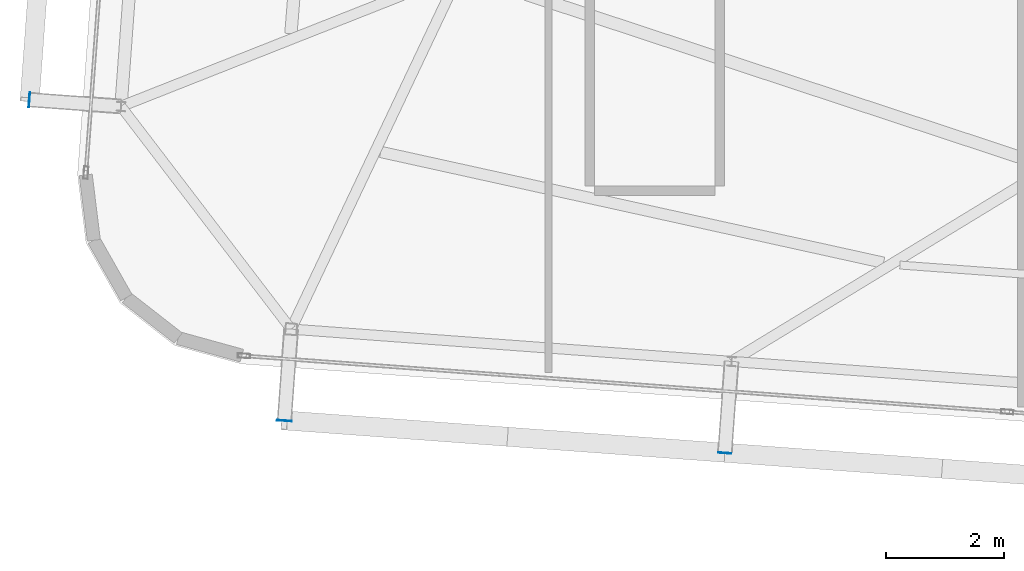
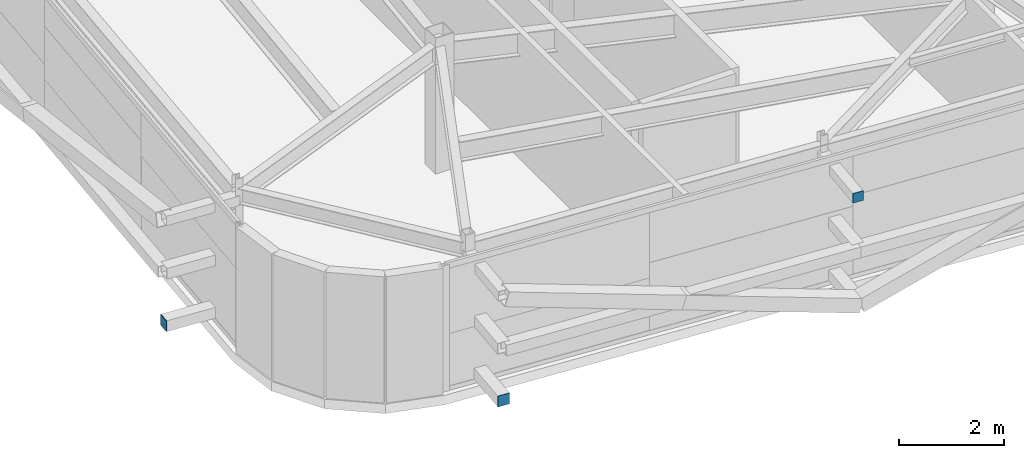
# One storey, part 24 of 34: 3 plates.
"""IFC4 building model written with IfcOpenShell, lengths in metres."""

from ifc_helpers import new_model, si_unit, direction, frame, origin, origin_2d, place, context, subcontext, project, spatial, rectangle, extrude, source, transform, mapped, material, layer, layer_set, type_object, element, save


model = new_model("IFC4")

# Units and contexts
model_context = context("Model", 3, precision=1e-05, world=origin(), true_north=direction((0.0, 1.0)))
body_context = subcontext(model_context, "Body", "Model", "MODEL_VIEW")
ifc_project = project(units=[si_unit("LENGTHUNIT", "METRE"), si_unit("AREAUNIT", "SQUARE_METRE"), si_unit("VOLUMEUNIT", "CUBIC_METRE"), si_unit("PLANEANGLEUNIT", "RADIAN"), si_unit("MASSUNIT", "GRAM", prefix="KILO")], contexts=[model_context])

# Site, building, storey
site_placement = place(None, origin())
site = spatial("IfcSite", under=ifc_project, at=site_placement, CompositionType="ELEMENT")
building_placement = place(site_placement, origin())
building = spatial("IfcBuilding", under=site, at=building_placement, Name="Taldren Reach Tower", CompositionType="ELEMENT")
storey_placement = place(building_placement, frame((0.0, 0.0, 246.050048828125)))
storey = spatial("IfcBuildingStorey", under=building, at=storey_placement, Name="L75", CompositionType="ELEMENT", Elevation=246.050048828125)

# Plates
ifc_material_1 = material(Name="Steel Gr 350 (C350L0)", Category="steel")
ifc_layer_1 = layer(ifc_material_1, 0.011962890625)
ifc_layer_set_1 = layer_set([ifc_layer_1], Name="Steel Gr 350 (C350L0)")
plate_type_1 = type_object("IfcPlateType", Name="PL-CAP-250", PredefinedType="SHEET", material=ifc_layer_set_1)
shared_shape_1 = source(origin(), body_context, "Body", "SweptSolid", [
    extrude(rectangle(XDim=0.25, YDim=0.011962890625, at=origin_2d()), origin(), (0.0, 0.0, 1.0), 0.25),
])
plate_1_placement = place(storey_placement, frame((15.026611328125, 4.908447265625, 0.094970703125), z_axis=(0.0, 0.0, 1.0), x_axis=(0.997314477224, -0.073238197128, 0.0)))
element("IfcPlate", 1, at=plate_1_placement, inside=storey, type_object=plate_type_1, Name="Tie strut end cap plate B5-S1 L75", PredefinedType="SHEET", context=body_context, shape_type="MappedRepresentation", body=[
    mapped(shared_shape_1, transform((0.0, 0.0, 0.0), scale=1.0)),
])
shared_shape_2 = source(origin(), body_context, "Body", "SweptSolid", [
    extrude(rectangle(XDim=0.011962890625, YDim=0.25, at=origin_2d()), origin(), (0.0, 0.0, 1.0), 0.25),
])
plate_2_placement = place(storey_placement, frame((10.707275390625, 10.345458984375, 0.094970703125), z_axis=(0.0, 0.0, 1.0), x_axis=(0.997314477224, -0.073238197128, 0.0)))
element("IfcPlate", 2, at=plate_2_placement, inside=storey, type_object=plate_type_1, Name="Tie strut end cap plate B5-W1 L75", PredefinedType="SHEET", context=body_context, shape_type="MappedRepresentation", body=[
    mapped(shared_shape_2, transform((0.0, 0.0, 0.0), scale=1.0)),
])
ifc_material_2 = material(Name="Steel Gr 450 (C450L0)", Category="steel")
ifc_layer_2 = layer(ifc_material_2, 0.011962890625)
ifc_layer_set_2 = layer_set([ifc_layer_2], Name="Steel Gr 450 (C450L0)")
plate_type_2 = type_object("IfcPlateType", Name="PL-CAP-220", PredefinedType="SHEET", material=ifc_layer_set_2)
shared_shape_3 = source(origin(), body_context, "Body", "SweptSolid", [
    extrude(rectangle(XDim=0.219970703125, YDim=0.011962890625, at=origin_2d()), origin(), (0.0, 0.0, 1.0), 0.219970703125),
])
plate_3_placement = place(storey_placement, frame((22.486572265625, 4.360595703125, 2.5400390625), z_axis=(0.0, 0.0, 1.0), x_axis=(0.997314477224, -0.073238197128, 0.0)))
element("IfcPlate", 3, at=plate_3_placement, inside=storey, type_object=plate_type_2, Name="Tie strut end cap plate B5-S2 L75", PredefinedType="SHEET", context=body_context, shape_type="MappedRepresentation", body=[
    mapped(shared_shape_3, transform((0.0, 0.0, 0.0), scale=1.0)),
])

save(model, "model.ifc")
